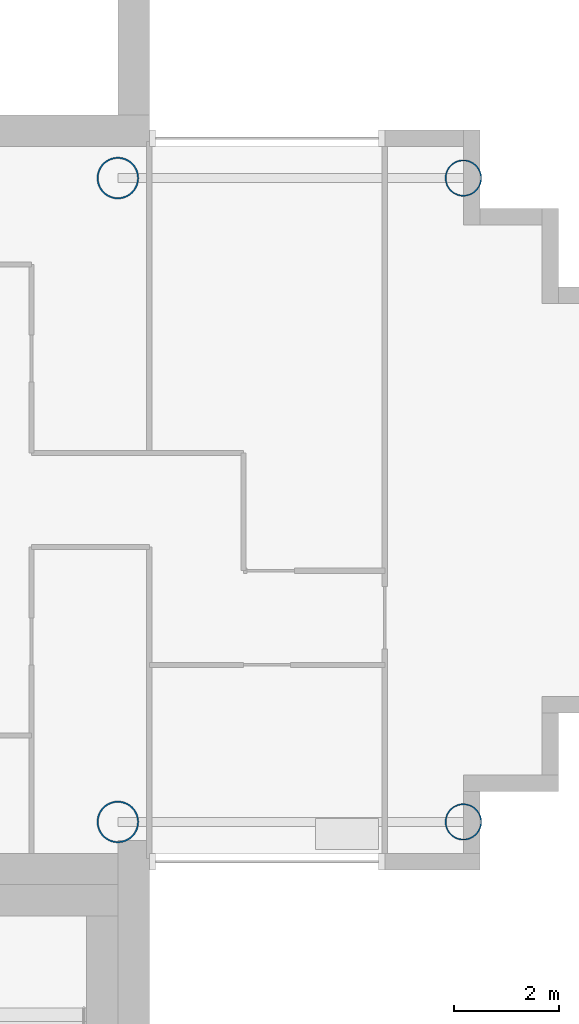
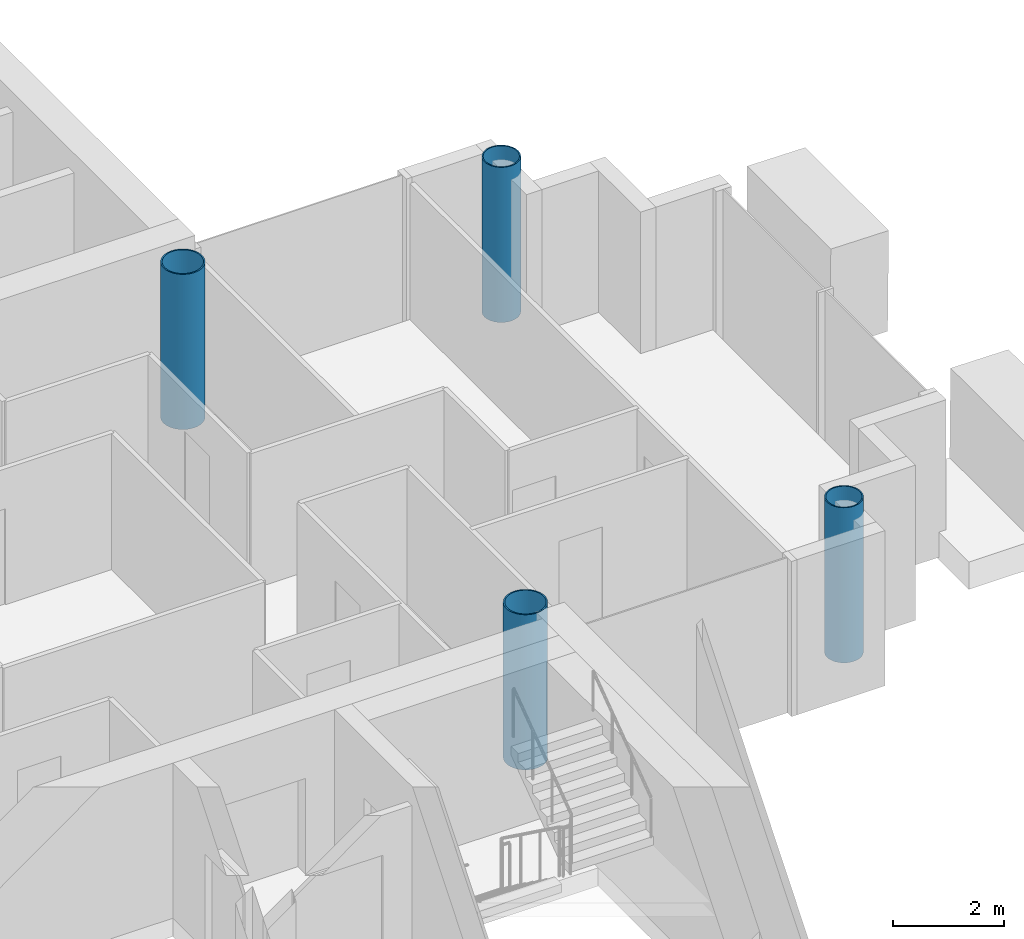
# One storey, part 2 of 18: 4 columns.
"""IFC4 building model written with IfcOpenShell, lengths in metres."""

from ifc_helpers import new_model, si_unit, direction, frame, origin, origin_2d, place, context, subcontext, project, spatial, hollow_circle, extrude, material, material_profile, profile_set, type_object, element, save


model = new_model("IFC4")

# Units and contexts
model_context = context("Model", 3, precision=1e-05, world=origin(), true_north=direction((0.0, 1.0)))
body_context = subcontext(model_context, "Body", "Model", "MODEL_VIEW")
ifc_project = project(units=[si_unit("LENGTHUNIT", "METRE"), si_unit("AREAUNIT", "SQUARE_METRE"), si_unit("VOLUMEUNIT", "CUBIC_METRE"), si_unit("PLANEANGLEUNIT", "RADIAN"), si_unit("MASSUNIT", "GRAM", prefix="KILO")], contexts=[model_context])

# Site, building, storey
site_placement = place(None, origin())
site = spatial("IfcSite", under=ifc_project, at=site_placement, CompositionType="ELEMENT")
building_placement = place(site_placement, origin())
building = spatial("IfcBuilding", under=site, at=building_placement, Name="Ipe Terrace Towers", CompositionType="ELEMENT")
storey_placement = place(building_placement, frame((0.0, 0.0, 230.0)))
storey = spatial("IfcBuildingStorey", under=building, at=storey_placement, Name="L64", CompositionType="ELEMENT", Elevation=230.0)

# Columns
ifc_material_1 = material(Name="Steel S355 tube with Concrete C60/75 fill", Category="concrete")
ifc_material_profile_1 = material_profile(ifc_material_1, hollow_circle(Radius=0.35009765625, WallThickness=0.02490234375, at=origin_2d()), Name="CHS-700x25")
ifc_profile_set_1 = profile_set([ifc_material_profile_1], Name="Steel S355 tube with Concrete C60/75 fill")
column_type_1 = type_object("IfcColumnType", Name="CH08 COLUMN CHS-700x25", PredefinedType="COLUMN", material=ifc_profile_set_1)
for number, where, z_axis, x_axis, name in (
    (1, (48.75, -6.14990234375, 0.0), (0.0, 0.0, 1.0), (1.0, 0.0, 0.0), "Column T2-C-D01"),
    (2, (48.75, 6.14990234375, 0.0), (0.0, 0.0, 1.0), (1.0, 0.0, 0.0), "Column T2-C-D02"),
):
    element("IfcColumn", number, at=place(storey_placement, frame(where, z_axis=z_axis, x_axis=x_axis)), inside=storey, type_object=column_type_1, Name=name, PredefinedType="COLUMN", context=body_context, shape_type="SweptSolid", body=[
        extrude(hollow_circle(Radius=0.35009765625, WallThickness=0.02490234375, at=origin_2d()), origin(), (0.0, 0.0, 1.0), 3.39990234375),
    ])
ifc_material_2 = material(Name="Steel S355 tube with Concrete C60/75 fill", Category="concrete")
ifc_material_profile_2 = material_profile(ifc_material_2, hollow_circle(Radius=0.39990234375, WallThickness=0.028076171875, at=origin_2d()), Name="CHS-800x28")
ifc_profile_set_2 = profile_set([ifc_material_profile_2], Name="Steel S355 tube with Concrete C60/75 fill")
column_type_2 = type_object("IfcColumnType", Name="CH09 COLUMN CHS-800x28", PredefinedType="COLUMN", material=ifc_profile_set_2)
for number, where, z_axis, x_axis, name in (
    (3, (42.14990234375, -6.14990234375, 0.0), (0.0, 0.0, 1.0), (1.0, 0.0, 0.0), "Column T2-C-E01"),
    (4, (42.14990234375, 6.14990234375, 0.0), (0.0, 0.0, 1.0), (1.0, 0.0, 0.0), "Column T2-C-E02"),
):
    element("IfcColumn", number, at=place(storey_placement, frame(where, z_axis=z_axis, x_axis=x_axis)), inside=storey, type_object=column_type_2, Name=name, PredefinedType="COLUMN", context=body_context, shape_type="SweptSolid", body=[
        extrude(hollow_circle(Radius=0.39990234375, WallThickness=0.028076171875, at=origin_2d()), origin(), (0.0, 0.0, 1.0), 3.39990234375),
    ])

save(model, "model.ifc")
